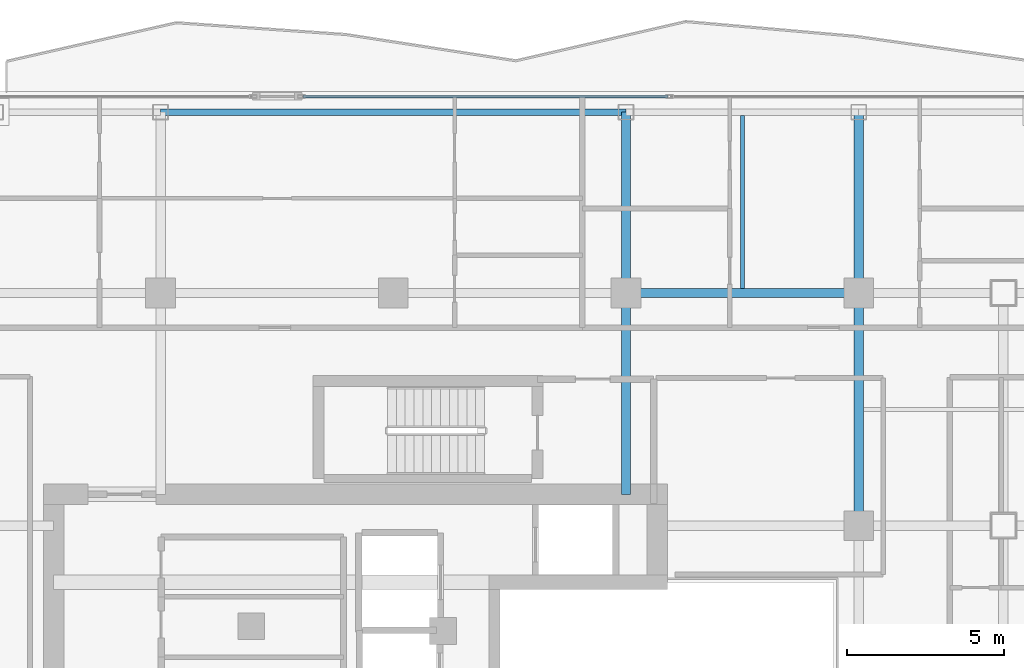
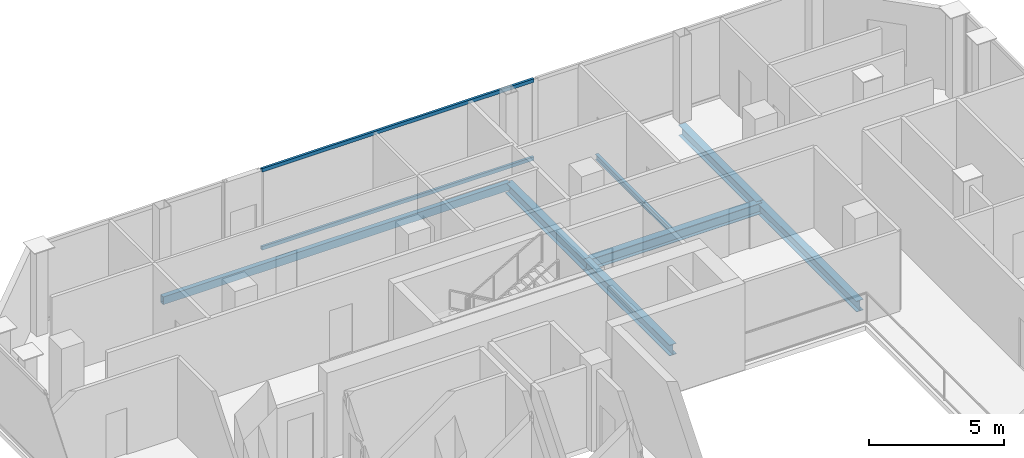
# One storey, part 12 of 22: 7 beams, 2 members, 1 element without a shape of its own.
"""IFC4 building model written with IfcOpenShell, lengths in metres."""

from ifc_helpers import new_model, si_unit, direction, frame, origin, origin_2d, place, context, subcontext, project, spatial, hollow_rectangle, i_section, extrude, material, layer, layer_set, material_profile, profile_set, type_object, element, aggregate, save


model = new_model("IFC4")

# Units and contexts
model_context = context("Model", 3, precision=1e-05, world=origin(), true_north=direction((0.0, 1.0)))
body_context = subcontext(model_context, "Body", "Model", "MODEL_VIEW")
ifc_project = project(units=[si_unit("LENGTHUNIT", "METRE"), si_unit("AREAUNIT", "SQUARE_METRE"), si_unit("VOLUMEUNIT", "CUBIC_METRE"), si_unit("PLANEANGLEUNIT", "RADIAN"), si_unit("MASSUNIT", "GRAM", prefix="KILO")], contexts=[model_context])

# Site, building, storey
site_placement = place(None, origin())
site = spatial("IfcSite", under=ifc_project, at=site_placement, CompositionType="ELEMENT")
building_placement = place(site_placement, origin())
building = spatial("IfcBuilding", under=site, at=building_placement, Name="Khorvyn Point Tower", CompositionType="ELEMENT")
storey_placement = place(building_placement, frame((0.0, 0.0, 282.0)))
storey = spatial("IfcBuildingStorey", under=building, at=storey_placement, Name="L69", CompositionType="ELEMENT", Elevation=282.0)

# Curtain wall, members
ifc_material_1 = material(Name="Anodised aluminium 6063-T6 and laminated Low-E glass", Category="aluminium")
ifc_layer = layer(ifc_material_1, 0.18994140625)
ifc_layer_set = layer_set([ifc_layer], Name="Stick-Built High-Wind Curtain Wall CW-SYS-04")
curtain_wall_type = type_object("IfcCurtainWallType", Name="Stick-Built High-Wind Curtain Wall CW-SYS-04", PredefinedType="NOTDEFINED", material=ifc_layer_set)
curtain_wall_placement = place(storey_placement, origin())
curtain_wall = element("IfcCurtainWall", 1, at=curtain_wall_placement, inside=storey, type_object=curtain_wall_type, Name="Curtain Wall", PredefinedType="NOTDEFINED")
ifc_material_2 = material(Name="Anodised aluminium 6063-T6", Category="aluminium")
ifc_material_profile_1 = material_profile(ifc_material_2, hollow_rectangle(XDim=0.10009765625, YDim=0.159912109375, WallThickness=0.00439453125, at=origin_2d()))
ifc_profile_set_1 = profile_set([ifc_material_profile_1], Name="Anodised aluminium 6063-T6 ALU-TRN-100x160")
member_type = type_object("IfcMemberType", Name="Anodised Aluminium 6063-T6 Transom ALU-TRN-100x160", PredefinedType="USERDEFINED", material=ifc_profile_set_1)
member_1_placement = place(storey_placement, frame((-2.873046875, 21.050048828125, 0.050048828125), z_axis=(1.0, 0.0, 0.0), x_axis=(0.0, 1.0, 0.0)))
member_1 = element("IfcMember", 2, at=member_1_placement, type_object=member_type, Name="Transom", ObjectType="TRANSOM", PredefinedType="USERDEFINED", context=body_context, shape_type="SweptSolid", body=[
    extrude(hollow_rectangle(XDim=0.10009765625, YDim=0.159912109375, WallThickness=0.00439453125, at=origin_2d()), origin(), (0.0, 0.0, 1.0), 11.611572265625),
])
member_2_placement = place(storey_placement, frame((-2.873046875, 21.050048828125, 3.570068359375), z_axis=(1.0, 0.0, 0.0), x_axis=(0.0, 1.0, 0.0)))
member_2 = element("IfcMember", 3, at=member_2_placement, type_object=member_type, Name="Transom", ObjectType="TRANSOM", PredefinedType="USERDEFINED", context=body_context, shape_type="SweptSolid", body=[
    extrude(hollow_rectangle(XDim=0.10009765625, YDim=0.159912109375, WallThickness=0.00439453125, at=origin_2d()), origin(), (0.0, 0.0, 1.0), 11.611572265625),
])
aggregate(curtain_wall, [member_1, member_2])

# Beams
ifc_material_3 = material(Name="Steel S355", Category="steel")
ifc_material_profile_2 = material_profile(ifc_material_3, i_section(OverallWidth=0.125, OverallDepth=0.25, WebThickness=0.006103515625, FlangeThickness=0.009033203125, at=origin_2d()))
ifc_profile_set_2 = profile_set([ifc_material_profile_2], Name="Steel S355 H250x125x6x9")
beam_type_1 = type_object("IfcBeamType", Name="Steel S355 Joist H250x125x6x9", PredefinedType="JOIST", material=ifc_profile_set_2)
beam_1_placement = place(storey_placement, frame((11.10009765625, 14.949951171875, -0.344970703125), z_axis=(0.0, 1.0, 0.0), x_axis=(-1.0, 0.0, 0.0)))
element("IfcBeam", 4, at=beam_1_placement, inside=storey, type_object=beam_type_1, Name="Beam", PredefinedType="JOIST", context=body_context, shape_type="SweptSolid", body=[
    extrude(i_section(OverallWidth=0.125, OverallDepth=0.25, WebThickness=0.006103515625, FlangeThickness=0.009033203125, at=origin_2d()), origin(), (0.0, 0.0, 1.0), 5.5),
])
ifc_material_profile_3 = material_profile(ifc_material_3, i_section(OverallWidth=0.300048828125, OverallDepth=0.488037109375, WebThickness=0.010986328125, FlangeThickness=0.01806640625, at=origin_2d()))
ifc_profile_set_3 = profile_set([ifc_material_profile_3], Name="Steel S355 H488x300x11x18")
beam_type_2 = type_object("IfcBeamType", Name="Steel S355 Spandrel H488x300x11x18", PredefinedType="SPANDREL", material=ifc_profile_set_3)
for number, where, z_axis, x_axis, name in (
    (5, (7.39990234375, 14.800048828125, -0.464111328125), (1.0, 0.0, 0.0), (0.0, 1.0, 0.0), "Beam"),
    (6, (14.800048828125, 7.39990234375, -0.464111328125), (0.0, 1.0, 0.0), (-1.0, 0.0, 0.0), "Beam"),
):
    element("IfcBeam", number, at=place(storey_placement, frame(where, z_axis=z_axis, x_axis=x_axis)), inside=storey, type_object=beam_type_2, Name=name, PredefinedType="SPANDREL", context=body_context, shape_type="SweptSolid", body=[
        extrude(i_section(OverallWidth=0.300048828125, OverallDepth=0.488037109375, WebThickness=0.010986328125, FlangeThickness=0.01806640625, at=origin_2d()), origin(), (0.0, 0.0, 1.0), 7.400146484375),
    ])
beam_2_placement = place(storey_placement, frame((14.800048828125, 14.800048828125, -0.464111328125), z_axis=(0.0, 1.0, 0.0), x_axis=(-1.0, 0.0, 0.0)))
element("IfcBeam", 7, at=beam_2_placement, inside=storey, type_object=beam_type_2, Name="Beam", PredefinedType="SPANDREL", context=body_context, shape_type="SweptSolid", body=[
    extrude(i_section(OverallWidth=0.300048828125, OverallDepth=0.488037109375, WebThickness=0.010986328125, FlangeThickness=0.01806640625, at=origin_2d()), origin(), (0.0, 0.0, 1.0), 5.75),
])
beam_3_placement = place(storey_placement, frame((7.39990234375, 8.39990234375, -0.464111328125), z_axis=(0.0, 1.0, 0.0), x_axis=(-1.0, 0.0, 0.0)))
element("IfcBeam", 8, at=beam_3_placement, inside=storey, type_object=beam_type_2, Name="Beam", PredefinedType="SPANDREL", context=body_context, shape_type="SweptSolid", body=[
    extrude(i_section(OverallWidth=0.300048828125, OverallDepth=0.488037109375, WebThickness=0.010986328125, FlangeThickness=0.01806640625, at=origin_2d()), origin(), (0.0, 0.0, 1.0), 6.400146484375),
])
beam_4_placement = place(storey_placement, frame((7.39990234375, 14.800048828125, -0.464111328125), z_axis=(0.0, 1.0, 0.0), x_axis=(-1.0, 0.0, 0.0)))
element("IfcBeam", 9, at=beam_4_placement, inside=storey, type_object=beam_type_2, Name="Beam", PredefinedType="SPANDREL", context=body_context, shape_type="SweptSolid", body=[
    extrude(i_section(OverallWidth=0.300048828125, OverallDepth=0.488037109375, WebThickness=0.010986328125, FlangeThickness=0.01806640625, at=origin_2d()), origin(), (0.0, 0.0, 1.0), 5.75),
])
ifc_material_profile_4 = material_profile(ifc_material_3, hollow_rectangle(XDim=0.199951171875, YDim=0.35009765625, WallThickness=0.013916015625, at=origin_2d()))
ifc_profile_set_4 = profile_set([ifc_material_profile_4], Name="Steel S355 RHS350x200x14")
beam_type_3 = type_object("IfcBeamType", Name="Steel S355 Spandrel RHS350x200x14", PredefinedType="SPANDREL", material=ifc_profile_set_4)
beam_5_placement = place(storey_placement, frame((-7.39990234375, 20.550048828125, -0.39501953125), z_axis=(1.0, 0.0, 0.0), x_axis=(0.0, 1.0, 0.0)))
element("IfcBeam", 10, at=beam_5_placement, inside=storey, type_object=beam_type_3, Name="Beam", PredefinedType="SPANDREL", context=body_context, shape_type="SweptSolid", body=[
    extrude(hollow_rectangle(XDim=0.199951171875, YDim=0.35009765625, WallThickness=0.013916015625, at=origin_2d()), origin(), (0.0, 0.0, 1.0), 14.7998046875),
])

save(model, "model.ifc")
